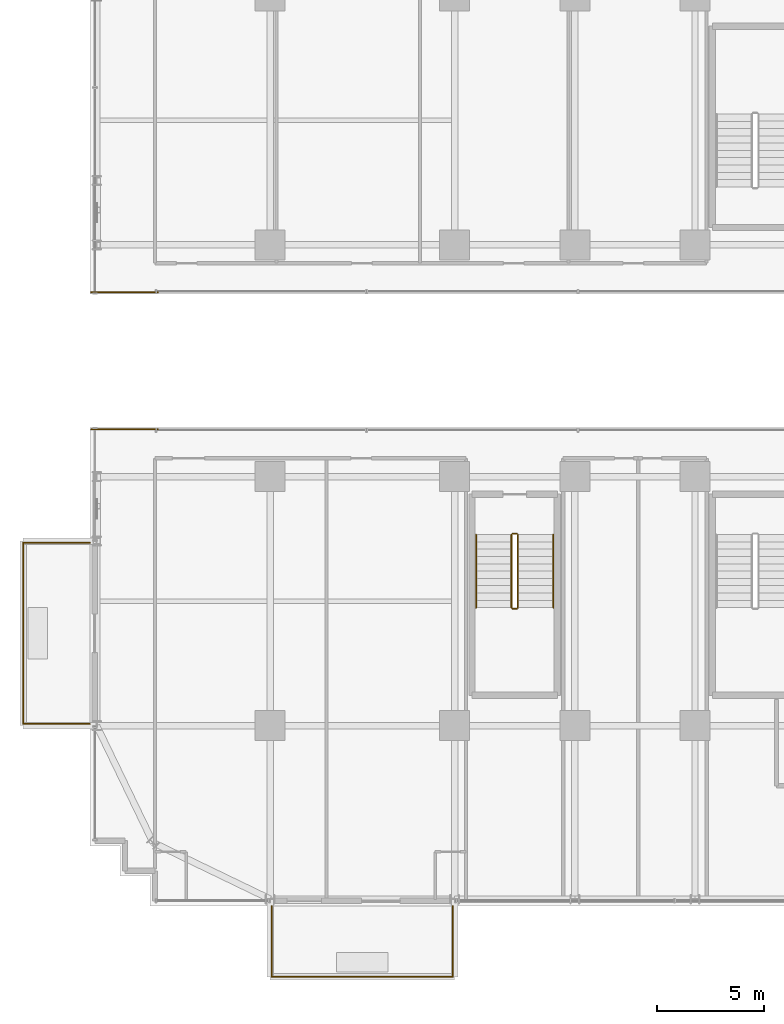
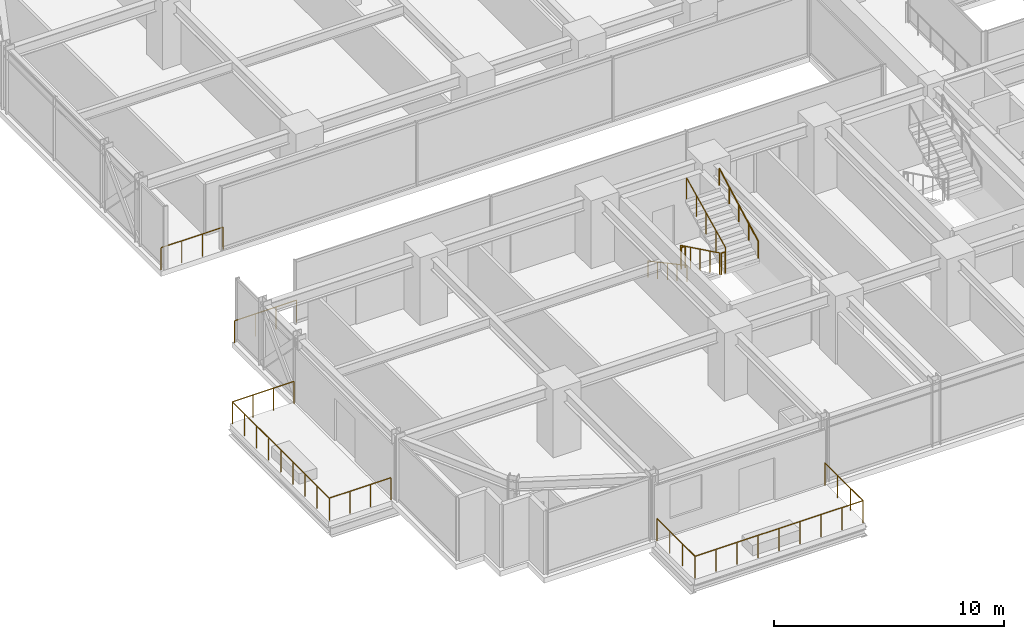
# One storey, part 35 of 37: 10 railings.
"""IFC4 building model written with IfcOpenShell, lengths in metres."""

from ifc_helpers import new_model, si_unit, direction, frame, origin, origin_2d, place, context, subcontext, project, spatial, circle, extrude, material, type_object, element, save


model = new_model("IFC4")

# Units and contexts
model_context = context("Model", 3, precision=1e-05, world=origin(), true_north=direction((0.0, 1.0)))
body_context = subcontext(model_context, "Body", "Model", "MODEL_VIEW")
ifc_project = project(units=[si_unit("LENGTHUNIT", "METRE"), si_unit("AREAUNIT", "SQUARE_METRE"), si_unit("VOLUMEUNIT", "CUBIC_METRE"), si_unit("PLANEANGLEUNIT", "RADIAN"), si_unit("MASSUNIT", "GRAM", prefix="KILO")], contexts=[model_context])

# Site, building, storey
site_placement = place(None, origin())
site = spatial("IfcSite", under=ifc_project, at=site_placement, CompositionType="ELEMENT")
building_placement = place(site_placement, origin())
building = spatial("IfcBuilding", under=site, at=building_placement, Name="Nahalor Promenade Grand Hotel", CompositionType="ELEMENT")
storey_placement = place(building_placement, frame((0.0, 0.0, 65.25)))
storey = spatial("IfcBuildingStorey", under=building, at=storey_placement, Name="L15", CompositionType="ELEMENT", Elevation=65.25)

# Railings
ifc_material_1 = material(Name="Anodised Bronze Aluminium EN AW-6063 T6", Category="aluminium")
railing_type_1 = type_object("IfcRailingType", Name="Bronze Balcony Guardrail 1200 mm", PredefinedType="GUARDRAIL", material=ifc_material_1)
for number, where, name in (
    (1, (-25.340087890625, -3.199951171875, 0.0), "L15 Oculus Void Edge Guardrail WS"),
    (2, (-25.340087890625, 3.199951171875, 0.0), "L15 Oculus Void Edge Guardrail WN"),
):
    element("IfcRailing", number, at=place(storey_placement, frame(where)), inside=storey, type_object=railing_type_1, Name=name, PredefinedType="GUARDRAIL", context=body_context, shape_type="SweptSolid", body=[
        extrude(circle(Radius=0.024048, at=origin_2d()), frame((0.0, 0.0, 1.17578125), z_axis=(1.0, 0.0, 0.0), x_axis=(0.0, 1.0, 0.0)), (0.0, 0.0, 1.0), 3.1201171875),
        extrude(circle(Radius=0.020996, at=origin_2d()), origin(), (0.0, 0.0, 1.0), 1.14990234375),
        extrude(circle(Radius=0.020996, at=origin_2d()), frame((1.0400390625, 0.0, 0.0)), (0.0, 0.0, 1.0), 1.14990234375),
        extrude(circle(Radius=0.020996, at=origin_2d()), frame((2.080078125, 0.0, 0.0)), (0.0, 0.0, 1.0), 1.14990234375),
        extrude(circle(Radius=0.020996, at=origin_2d()), frame((3.1201171875, 0.0, 0.0)), (0.0, 0.0, 1.0), 1.14990234375),
    ])
railing_1_placement = place(storey_placement, frame((-16.919921875, -25.39990234375, 0.0)))
element("IfcRailing", 3, at=railing_1_placement, inside=storey, type_object=railing_type_1, Name="L15 Balcony Guardrail 1", PredefinedType="GUARDRAIL", context=body_context, shape_type="SweptSolid", body=[
    extrude(circle(Radius=0.024048, at=origin_2d()), frame((0.0, 0.0, 1.17578125), z_axis=(0.0, -1.0, 0.0), x_axis=(1.0, 0.0, 0.0)), (0.0, 0.0, 1.0), 3.298095703125),
    extrude(circle(Radius=0.024048, at=origin_2d()), frame((0.001953125, -3.300048828125, 1.17578125), z_axis=(1.0, 0.0, 0.0), x_axis=(0.0, 1.0, 0.0)), (0.0, 0.0, 1.0), 8.43603515625),
    extrude(circle(Radius=0.024048, at=origin_2d()), frame((8.43994140625, -3.298095703125, 1.17578125), z_axis=(0.0, 1.0, 0.0), x_axis=(-1.0, 0.0, 0.0)), (0.0, 0.0, 1.0), 3.298095703125),
    extrude(circle(Radius=0.020996, at=origin_2d()), origin(), (0.0, 0.0, 1.0), 1.14990234375),
    extrude(circle(Radius=0.020996, at=origin_2d()), frame((0.0, -1.10009765625, 0.0)), (0.0, 0.0, 1.0), 1.14990234375),
    extrude(circle(Radius=0.020996, at=origin_2d()), frame((0.0, -2.199951171875, 0.0)), (0.0, 0.0, 1.0), 1.14990234375),
    extrude(circle(Radius=0.020996, at=origin_2d()), frame((0.0, -3.300048828125, 0.0)), (0.0, 0.0, 1.0), 1.14990234375),
    extrude(circle(Radius=0.020996, at=origin_2d()), frame((1.054931640625, -3.300048828125, 0.0)), (0.0, 0.0, 1.0), 1.14990234375),
    extrude(circle(Radius=0.020996, at=origin_2d()), frame((2.10986328125, -3.300048828125, 0.0)), (0.0, 0.0, 1.0), 1.14990234375),
    extrude(circle(Radius=0.020996, at=origin_2d()), frame((3.1650390625, -3.300048828125, 0.0)), (0.0, 0.0, 1.0), 1.14990234375),
    extrude(circle(Radius=0.020996, at=origin_2d()), frame((4.219970703125, -3.300048828125, 0.0)), (0.0, 0.0, 1.0), 1.14990234375),
    extrude(circle(Radius=0.020996, at=origin_2d()), frame((5.27490234375, -3.300048828125, 0.0)), (0.0, 0.0, 1.0), 1.14990234375),
    extrude(circle(Radius=0.020996, at=origin_2d()), frame((6.330078125, -3.300048828125, 0.0)), (0.0, 0.0, 1.0), 1.14990234375),
    extrude(circle(Radius=0.020996, at=origin_2d()), frame((7.385009765625, -3.300048828125, 0.0)), (0.0, 0.0, 1.0), 1.14990234375),
    extrude(circle(Radius=0.020996, at=origin_2d()), frame((8.43994140625, -3.300048828125, 0.0)), (0.0, 0.0, 1.0), 1.14990234375),
    extrude(circle(Radius=0.020996, at=origin_2d()), frame((8.43994140625, -2.199951171875, 0.0)), (0.0, 0.0, 1.0), 1.14990234375),
    extrude(circle(Radius=0.020996, at=origin_2d()), frame((8.43994140625, -1.10009765625, 0.0)), (0.0, 0.0, 1.0), 1.14990234375),
    extrude(circle(Radius=0.020996, at=origin_2d()), frame((8.43994140625, 0.0, 0.0)), (0.0, 0.0, 1.0), 1.14990234375),
])
railing_2_placement = place(storey_placement, frame((-25.39990234375, -16.919921875, 0.0)))
element("IfcRailing", 4, at=railing_2_placement, inside=storey, type_object=railing_type_1, Name="L15 Balcony Guardrail 2", PredefinedType="GUARDRAIL", context=body_context, shape_type="SweptSolid", body=[
    extrude(circle(Radius=0.024048, at=origin_2d()), frame((0.0, 0.0, 1.17578125), z_axis=(-1.0, 0.0, 0.0), x_axis=(0.0, -1.0, 0.0)), (0.0, 0.0, 1.0), 3.09814453125),
    extrude(circle(Radius=0.024048, at=origin_2d()), frame((-3.10009765625, 0.001953125, 1.17578125), z_axis=(0.0, 1.0, 0.0), x_axis=(-1.0, 0.0, 0.0)), (0.0, 0.0, 1.0), 8.43603515625),
    extrude(circle(Radius=0.024048, at=origin_2d()), frame((-3.09814453125, 8.43994140625, 1.17578125), z_axis=(1.0, 0.0, 0.0), x_axis=(0.0, 1.0, 0.0)), (0.0, 0.0, 1.0), 3.09814453125),
    extrude(circle(Radius=0.020996, at=origin_2d()), origin(), (0.0, 0.0, 1.0), 1.14990234375),
    extrude(circle(Radius=0.020996, at=origin_2d()), frame((-1.033447265625, 0.0, 0.0)), (0.0, 0.0, 1.0), 1.14990234375),
    extrude(circle(Radius=0.020996, at=origin_2d()), frame((-2.066650390625, 0.0, 0.0)), (0.0, 0.0, 1.0), 1.14990234375),
    extrude(circle(Radius=0.020996, at=origin_2d()), frame((-3.10009765625, 0.0, 0.0)), (0.0, 0.0, 1.0), 1.14990234375),
    extrude(circle(Radius=0.020996, at=origin_2d()), frame((-3.10009765625, 1.054931640625, 0.0)), (0.0, 0.0, 1.0), 1.14990234375),
    extrude(circle(Radius=0.020996, at=origin_2d()), frame((-3.10009765625, 2.10986328125, 0.0)), (0.0, 0.0, 1.0), 1.14990234375),
    extrude(circle(Radius=0.020996, at=origin_2d()), frame((-3.10009765625, 3.1650390625, 0.0)), (0.0, 0.0, 1.0), 1.14990234375),
    extrude(circle(Radius=0.020996, at=origin_2d()), frame((-3.10009765625, 4.219970703125, 0.0)), (0.0, 0.0, 1.0), 1.14990234375),
    extrude(circle(Radius=0.020996, at=origin_2d()), frame((-3.10009765625, 5.27490234375, 0.0)), (0.0, 0.0, 1.0), 1.14990234375),
    extrude(circle(Radius=0.020996, at=origin_2d()), frame((-3.10009765625, 6.330078125, 0.0)), (0.0, 0.0, 1.0), 1.14990234375),
    extrude(circle(Radius=0.020996, at=origin_2d()), frame((-3.10009765625, 7.385009765625, 0.0)), (0.0, 0.0, 1.0), 1.14990234375),
    extrude(circle(Radius=0.020996, at=origin_2d()), frame((-3.10009765625, 8.43994140625, 0.0)), (0.0, 0.0, 1.0), 1.14990234375),
    extrude(circle(Radius=0.020996, at=origin_2d()), frame((-2.066650390625, 8.43994140625, 0.0)), (0.0, 0.0, 1.0), 1.14990234375),
    extrude(circle(Radius=0.020996, at=origin_2d()), frame((-1.033447265625, 8.43994140625, 0.0)), (0.0, 0.0, 1.0), 1.14990234375),
    extrude(circle(Radius=0.020996, at=origin_2d()), frame((0.0, 8.43994140625, 0.0)), (0.0, 0.0, 1.0), 1.14990234375),
])
ifc_material_2 = material(Name="Steel S355JR", Category="steel")
railing_type_2 = type_object("IfcRailingType", Name="Steel Stair Guardrail 1150 mm", PredefinedType="GUARDRAIL", material=ifc_material_2)
railing_3_placement = place(storey_placement, frame((-5.75, -8.10009765625, 0.166015625)))
element("IfcRailing", 5, at=railing_3_placement, inside=storey, type_object=railing_type_2, Name="L15 ST3 stair guard 1", PredefinedType="GUARDRAIL", context=body_context, shape_type="SweptSolid", body=[
    extrude(circle(Radius=0.024048, at=origin_2d()), frame((0.0, 0.0, 1.1259765625), z_axis=(0.0, -0.898721922897, 0.438518990814), x_axis=(1.0, 0.0, 0.0)), (0.0, 0.0, 1.0), 3.782958984375),
    extrude(circle(Radius=0.020996, at=origin_2d()), origin(), (0.0, 0.0, 1.0), 1.099853515625),
    extrude(circle(Radius=0.020996, at=origin_2d()), frame((0.0, -0.85009765625, 0.414794921875)), (0.0, 0.0, 1.0), 1.099853515625),
    extrude(circle(Radius=0.020996, at=origin_2d()), frame((0.0, -1.699951171875, 0.82958984375)), (0.0, 0.0, 1.0), 1.099853515625),
    extrude(circle(Radius=0.020996, at=origin_2d()), frame((0.0, -2.5498046875, 1.244140625)), (0.0, 0.0, 1.0), 1.099853515625),
    extrude(circle(Radius=0.020996, at=origin_2d()), frame((0.0, -3.39990234375, 1.658935546875)), (0.0, 0.0, 1.0), 1.099853515625),
])
railing_4_placement = place(storey_placement, frame((-5.699951171875, -11.550048828125, 1.824951171875)))
element("IfcRailing", 6, at=railing_4_placement, inside=storey, type_object=railing_type_2, Name="L15 ST3 stair guard 2", PredefinedType="GUARDRAIL", context=body_context, shape_type="SweptSolid", body=[
    extrude(circle(Radius=0.024048, at=origin_2d()), frame((0.0, 0.0, 1.1259765625), z_axis=(1.0, 0.0, 0.0), x_axis=(0.0, 1.0, 0.0)), (0.0, 0.0, 1.0), 0.199951171875),
    extrude(circle(Radius=0.020996, at=origin_2d()), origin(), (0.0, 0.0, 1.0), 1.099853515625),
    extrude(circle(Radius=0.020996, at=origin_2d()), frame((0.199951171875, 0.0, 0.0)), (0.0, 0.0, 1.0), 1.099853515625),
])
railing_5_placement = place(storey_placement, frame((-5.449951171875, -11.5, 1.990966796875)))
element("IfcRailing", 7, at=railing_5_placement, inside=storey, type_object=railing_type_2, Name="L15 ST3 stair guard 3", PredefinedType="GUARDRAIL", context=body_context, shape_type="SweptSolid", body=[
    extrude(circle(Radius=0.024048, at=origin_2d()), frame((0.0, 0.0, 1.1259765625), z_axis=(0.0, 0.898721922897, 0.438518990814), x_axis=(-1.0, 0.0, 0.0)), (0.0, 0.0, 1.0), 3.782958984375),
    extrude(circle(Radius=0.020996, at=origin_2d()), origin(), (0.0, 0.0, 1.0), 1.099853515625),
    extrude(circle(Radius=0.020996, at=origin_2d()), frame((0.0, 0.85009765625, 0.414794921875)), (0.0, 0.0, 1.0), 1.099853515625),
    extrude(circle(Radius=0.020996, at=origin_2d()), frame((0.0, 1.699951171875, 0.82958984375)), (0.0, 0.0, 1.0), 1.099853515625),
    extrude(circle(Radius=0.020996, at=origin_2d()), frame((0.0, 2.5498046875, 1.244140625)), (0.0, 0.0, 1.0), 1.099853515625),
    extrude(circle(Radius=0.020996, at=origin_2d()), frame((0.0, 3.39990234375, 1.658935546875)), (0.0, 0.0, 1.0), 1.099853515625),
])
railing_6_placement = place(storey_placement, frame((-5.699951171875, -8.050048828125, 0.0)))
element("IfcRailing", 8, at=railing_6_placement, inside=storey, type_object=railing_type_2, Name="L15 ST3 stair guard 4", PredefinedType="GUARDRAIL", context=body_context, shape_type="SweptSolid", body=[
    extrude(circle(Radius=0.024048, at=origin_2d()), frame((0.0, 0.0, 1.1259765625), z_axis=(1.0, 0.0, 0.0), x_axis=(0.0, 1.0, 0.0)), (0.0, 0.0, 1.0), 0.199951171875),
    extrude(circle(Radius=0.020996, at=origin_2d()), origin(), (0.0, 0.0, 1.0), 1.099853515625),
    extrude(circle(Radius=0.020996, at=origin_2d()), frame((0.199951171875, 0.0, 0.0)), (0.0, 0.0, 1.0), 1.099853515625),
])
railing_type_3 = type_object("IfcRailingType", Name="Steel Stair Handrail 900 mm", PredefinedType="HANDRAIL", material=ifc_material_2)
railing_7_placement = place(storey_placement, frame((-7.39990234375, -8.10009765625, 0.166015625)))
element("IfcRailing", 9, at=railing_7_placement, inside=storey, type_object=railing_type_3, Name="L15 ST3 stair handrail 1", PredefinedType="HANDRAIL", context=body_context, shape_type="SweptSolid", body=[
    extrude(circle(Radius=0.024048, at=origin_2d()), frame((0.0, 0.0, 0.8759765625), z_axis=(0.0, -0.881094038095, 0.47294111265), x_axis=(1.0, 0.0, 0.0)), (0.0, 0.0, 1.0), 3.858642578125),
    extrude(circle(Radius=0.020996, at=origin_2d()), origin(), (0.0, 0.0, 1.0), 0.849853515625),
    extrude(circle(Radius=0.020996, at=origin_2d()), frame((0.0, -0.85009765625, 0.456298828125)), (0.0, 0.0, 1.0), 0.849853515625),
    extrude(circle(Radius=0.020996, at=origin_2d()), frame((0.0, -1.699951171875, 0.91259765625)), (0.0, 0.0, 1.0), 0.849853515625),
    extrude(circle(Radius=0.020996, at=origin_2d()), frame((0.0, -2.5498046875, 1.36865234375)), (0.0, 0.0, 1.0), 0.849853515625),
    extrude(circle(Radius=0.020996, at=origin_2d()), frame((0.0, -3.39990234375, 1.824951171875)), (0.0, 0.0, 1.0), 0.849853515625),
])
railing_8_placement = place(storey_placement, frame((-3.800048828125, -11.5, 1.990966796875)))
element("IfcRailing", 10, at=railing_8_placement, inside=storey, type_object=railing_type_3, Name="L15 ST3 stair handrail 2", PredefinedType="HANDRAIL", context=body_context, shape_type="SweptSolid", body=[
    extrude(circle(Radius=0.024048, at=origin_2d()), frame((0.0, 0.0, 0.8759765625), z_axis=(0.0, 0.881094038095, 0.47294111265), x_axis=(-1.0, 0.0, 0.0)), (0.0, 0.0, 1.0), 3.858642578125),
    extrude(circle(Radius=0.020996, at=origin_2d()), origin(), (0.0, 0.0, 1.0), 0.849853515625),
    extrude(circle(Radius=0.020996, at=origin_2d()), frame((0.0, 0.85009765625, 0.456298828125)), (0.0, 0.0, 1.0), 0.849853515625),
    extrude(circle(Radius=0.020996, at=origin_2d()), frame((0.0, 1.699951171875, 0.91259765625)), (0.0, 0.0, 1.0), 0.849853515625),
    extrude(circle(Radius=0.020996, at=origin_2d()), frame((0.0, 2.5498046875, 1.36865234375)), (0.0, 0.0, 1.0), 0.849853515625),
    extrude(circle(Radius=0.020996, at=origin_2d()), frame((0.0, 3.39990234375, 1.824951171875)), (0.0, 0.0, 1.0), 0.849853515625),
])

save(model, "model.ifc")
